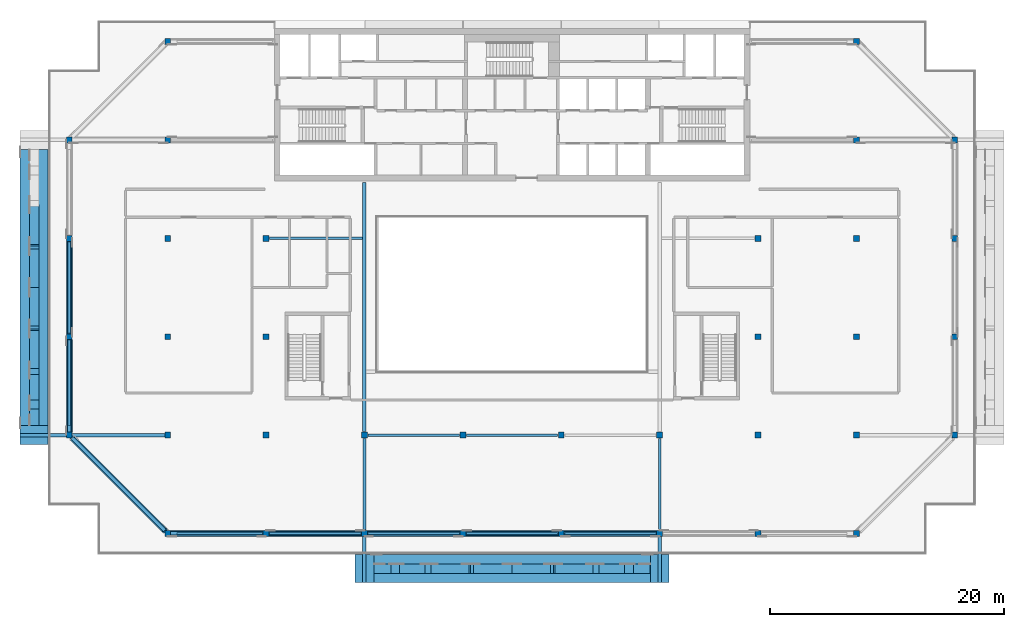
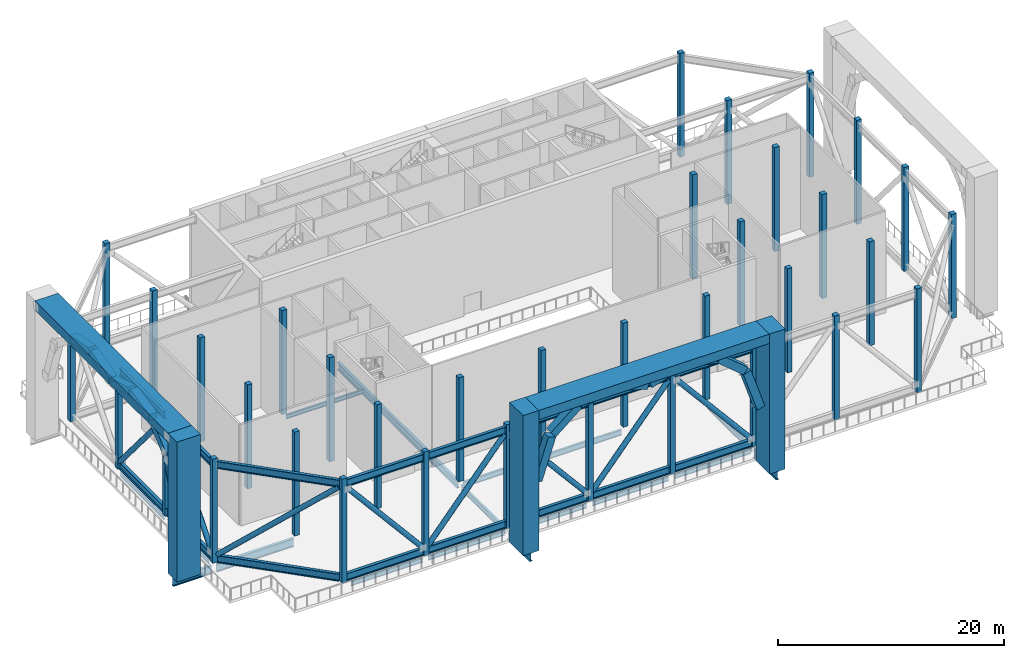
# One storey, part 1 of 20: 43 members, 36 columns, 17 beams.
"""IFC4 building model written with IfcOpenShell, lengths in metres."""

from ifc_helpers import new_model, si_unit, direction, frame, origin, origin_2d, place, context, subcontext, project, spatial, rectangle, hollow_circle, i_section, extrude, material, material_profile, profile_set, type_object, element, save


model = new_model("IFC4")

# Units and contexts
model_context = context("Model", 3, precision=1e-05, world=origin(), true_north=direction((0.0, 1.0)))
body_context = subcontext(model_context, "Body", "Model", "MODEL_VIEW")
ifc_project = project(units=[si_unit("LENGTHUNIT", "METRE"), si_unit("AREAUNIT", "SQUARE_METRE"), si_unit("VOLUMEUNIT", "CUBIC_METRE"), si_unit("PLANEANGLEUNIT", "RADIAN"), si_unit("MASSUNIT", "GRAM", prefix="KILO")], contexts=[model_context])

# Site, building, storey
site_placement = place(None, origin())
site = spatial("IfcSite", under=ifc_project, at=site_placement, CompositionType="ELEMENT")
building_placement = place(site_placement, origin())
building = spatial("IfcBuilding", under=site, at=building_placement, Name="Saffron Gate Tower", CompositionType="ELEMENT")
storey_placement = place(building_placement, frame((0.0, 0.0, 252.300048828125)))
storey = spatial("IfcBuildingStorey", under=building, at=storey_placement, Name="L62", CompositionType="ELEMENT", Elevation=252.300048828125)

# Columns
ifc_material_1 = material(Name="Concrete C40", Category="concrete")
ifc_material_profile_1 = material_profile(ifc_material_1, rectangle(XDim=0.5, YDim=0.5, at=origin_2d()))
ifc_profile_set_1 = profile_set([ifc_material_profile_1], Name="Concrete C40")
column_type = type_object("IfcColumnType", Name="C1 RC 500x500 CONCRETE C40", PredefinedType="COLUMN", material=ifc_profile_set_1)
for number, where, z_axis, x_axis, name in (
    (1, (49.800048828125, 40.199951171875, 0.0), (0.0, 0.0, 1.0), (1.0, 0.0, 0.0), "C1 COLUMN X1-B"),
    (2, (49.800048828125, 48.60009765625, 0.0), (0.0, 0.0, 1.0), (1.0, 0.0, 0.0), "C1 COLUMN X1-C"),
    (3, (49.800048828125, 57.0, 0.0), (0.0, 0.0, 1.0), (1.0, 0.0, 0.0), "C1 COLUMN X1-D"),
    (4, (49.800048828125, 65.39990234375, 0.0), (0.0, 0.0, 1.0), (1.0, 0.0, 0.0), "C1 COLUMN X1-E"),
    (5, (58.199951171875, 31.800048828125, 0.0), (0.0, 0.0, 1.0), (1.0, 0.0, 0.0), "C1 COLUMN X2-A"),
    (6, (58.199951171875, 40.199951171875, 0.0), (0.0, 0.0, 1.0), (1.0, 0.0, 0.0), "C1 COLUMN X2-B"),
    (7, (58.199951171875, 48.60009765625, 0.0), (0.0, 0.0, 1.0), (1.0, 0.0, 0.0), "C1 COLUMN X2-C"),
    (8, (58.199951171875, 57.0, 0.0), (0.0, 0.0, 1.0), (1.0, 0.0, 0.0), "C1 COLUMN X2-D"),
    (9, (58.199951171875, 65.39990234375, 0.0), (0.0, 0.0, 1.0), (1.0, 0.0, 0.0), "C1 COLUMN X2-E"),
    (10, (58.199951171875, 73.800048828125, 0.0), (0.0, 0.0, 1.0), (1.0, 0.0, 0.0), "C1 COLUMN X2-F"),
    (11, (66.60009765625, 31.800048828125, 0.0), (0.0, 0.0, 1.0), (1.0, 0.0, 0.0), "C1 COLUMN X3-A"),
    (12, (66.60009765625, 40.199951171875, 0.0), (0.0, 0.0, 1.0), (1.0, 0.0, 0.0), "C1 COLUMN X3-B"),
    (13, (66.60009765625, 48.60009765625, 0.0), (0.0, 0.0, 1.0), (1.0, 0.0, 0.0), "C1 COLUMN X3-C"),
    (14, (66.60009765625, 57.0, 0.0), (0.0, 0.0, 1.0), (1.0, 0.0, 0.0), "C1 COLUMN X3-D"),
    (15, (75.0, 31.800048828125, 0.0), (0.0, 0.0, 1.0), (1.0, 0.0, 0.0), "C1 COLUMN X4-A"),
    (16, (75.0, 40.199951171875, 0.0), (0.0, 0.0, 1.0), (1.0, 0.0, 0.0), "C1 COLUMN X4-B"),
    (17, (83.39990234375, 31.800048828125, 0.0), (0.0, 0.0, 1.0), (1.0, 0.0, 0.0), "C1 COLUMN X5-A"),
    (18, (83.39990234375, 40.199951171875, 0.0), (0.0, 0.0, 1.0), (1.0, 0.0, 0.0), "C1 COLUMN X5-B"),
    (19, (91.800048828125, 31.800048828125, 0.0), (0.0, 0.0, 1.0), (1.0, 0.0, 0.0), "C1 COLUMN X6-A"),
    (20, (91.800048828125, 40.199951171875, 0.0), (0.0, 0.0, 1.0), (1.0, 0.0, 0.0), "C1 COLUMN X6-B"),
    (21, (100.199951171875, 31.800048828125, 0.0), (0.0, 0.0, 1.0), (1.0, 0.0, 0.0), "C1 COLUMN X7-A"),
    (22, (100.199951171875, 40.199951171875, 0.0), (0.0, 0.0, 1.0), (1.0, 0.0, 0.0), "C1 COLUMN X7-B"),
    (23, (108.60009765625, 31.800048828125, 0.0), (0.0, 0.0, 1.0), (1.0, 0.0, 0.0), "C1 COLUMN X8-A"),
    (24, (108.60009765625, 40.199951171875, 0.0), (0.0, 0.0, 1.0), (1.0, 0.0, 0.0), "C1 COLUMN X8-B"),
    (25, (108.60009765625, 48.60009765625, 0.0), (0.0, 0.0, 1.0), (1.0, 0.0, 0.0), "C1 COLUMN X8-C"),
    (26, (108.60009765625, 57.0, 0.0), (0.0, 0.0, 1.0), (1.0, 0.0, 0.0), "C1 COLUMN X8-D"),
    (27, (117.0, 31.800048828125, 0.0), (0.0, 0.0, 1.0), (1.0, 0.0, 0.0), "C1 COLUMN X9-A"),
    (28, (117.0, 40.199951171875, 0.0), (0.0, 0.0, 1.0), (1.0, 0.0, 0.0), "C1 COLUMN X9-B"),
    (29, (117.0, 48.60009765625, 0.0), (0.0, 0.0, 1.0), (1.0, 0.0, 0.0), "C1 COLUMN X9-C"),
    (30, (117.0, 57.0, 0.0), (0.0, 0.0, 1.0), (1.0, 0.0, 0.0), "C1 COLUMN X9-D"),
    (31, (117.0, 65.39990234375, 0.0), (0.0, 0.0, 1.0), (1.0, 0.0, 0.0), "C1 COLUMN X9-E"),
    (32, (117.0, 73.800048828125, 0.0), (0.0, 0.0, 1.0), (1.0, 0.0, 0.0), "C1 COLUMN X9-F"),
    (33, (125.39990234375, 40.199951171875, 0.0), (0.0, 0.0, 1.0), (1.0, 0.0, 0.0), "C1 COLUMN X10-B"),
    (34, (125.39990234375, 48.60009765625, 0.0), (0.0, 0.0, 1.0), (1.0, 0.0, 0.0), "C1 COLUMN X10-C"),
    (35, (125.39990234375, 57.0, 0.0), (0.0, 0.0, 1.0), (1.0, 0.0, 0.0), "C1 COLUMN X10-D"),
    (36, (125.39990234375, 65.39990234375, 0.0), (0.0, 0.0, 1.0), (1.0, 0.0, 0.0), "C1 COLUMN X10-E"),
):
    element("IfcColumn", number, at=place(storey_placement, frame(where, z_axis=z_axis, x_axis=x_axis)), inside=storey, type_object=column_type, Name=name, PredefinedType="COLUMN", context=body_context, shape_type="SweptSolid", body=[
        extrude(rectangle(XDim=0.5, YDim=0.5, at=origin_2d()), origin(), (0.0, 0.0, 1.0), 11.25),
    ])

# Beams
ifc_material_2 = material(Name="Structural steel S355", Category="steel")
ifc_material_profile_2 = material_profile(ifc_material_2, i_section(OverallWidth=0.219970703125, OverallDepth=0.60009765625, WebThickness=0.011962890625, FlangeThickness=0.01904296875, FilletRadius=0.02392578125, at=origin_2d()))
ifc_profile_set_2 = profile_set([ifc_material_profile_2], Name="Structural steel S355")
beam_type_1 = type_object("IfcBeamType", Name="B15 IPE 600", PredefinedType="BEAM", material=ifc_profile_set_2)
for number, where, z_axis, x_axis, name in (
    (37, (75.0, 32.10009765625, -0.60009765625), (0.0, 1.0, 0.0), (-1.0, 0.0, 0.0), "B15 FLOOR GIRDER"),
    (38, (100.199951171875, 32.10009765625, -0.60009765625), (0.0, 1.0, 0.0), (-1.0, 0.0, 0.0), "B15 FLOOR GIRDER"),
):
    element("IfcBeam", number, at=place(storey_placement, frame(where, z_axis=z_axis, x_axis=x_axis)), inside=storey, type_object=beam_type_1, Name=name, PredefinedType="BEAM", context=body_context, shape_type="SweptSolid", body=[
        extrude(i_section(OverallWidth=0.219970703125, OverallDepth=0.60009765625, WebThickness=0.011962890625, FlangeThickness=0.01904296875, FilletRadius=0.02392578125, at=origin_2d()), origin(), (0.0, 0.0, 1.0), 7.7998046875),
    ])
for number, where, z_axis, x_axis, name in (
    (39, (75.300048828125, 40.199951171875, -0.60009765625), (1.0, 0.0, 0.0), (0.0, 1.0, 0.0), "B15 FLOOR GIRDER"),
    (40, (83.699951171875, 40.199951171875, -0.60009765625), (1.0, 0.0, 0.0), (0.0, 1.0, 0.0), "B15 FLOOR GIRDER"),
):
    element("IfcBeam", number, at=place(storey_placement, frame(where, z_axis=z_axis, x_axis=x_axis)), inside=storey, type_object=beam_type_1, Name=name, PredefinedType="BEAM", context=body_context, shape_type="SweptSolid", body=[
        extrude(i_section(OverallWidth=0.219970703125, OverallDepth=0.60009765625, WebThickness=0.011962890625, FlangeThickness=0.01904296875, FilletRadius=0.02392578125, at=origin_2d()), origin(), (0.0, 0.0, 1.0), 7.800048828125),
    ])
ifc_material_profile_3 = material_profile(ifc_material_2, i_section(OverallWidth=0.300048828125, OverallDepth=0.7900390625, WebThickness=0.014892578125, FlangeThickness=0.028076171875, FilletRadius=0.030029296875, at=origin_2d()))
ifc_profile_set_3 = profile_set([ifc_material_profile_3], Name="Structural steel S355")
beam_type_2 = type_object("IfcBeamType", Name="B18 HEA 800", PredefinedType="BEAM", material=ifc_profile_set_3)
beam_1_placement = place(storey_placement, frame((75.0, 40.5, -0.695068359375), z_axis=(0.0, 1.0, 0.0), x_axis=(-1.0, 0.0, 0.0)))
element("IfcBeam", 41, at=beam_1_placement, inside=storey, type_object=beam_type_2, Name="B18 ATRIUM GIRDER", PredefinedType="BEAM", context=body_context, shape_type="SweptSolid", body=[
    extrude(i_section(OverallWidth=0.300048828125, OverallDepth=0.7900390625, WebThickness=0.014892578125, FlangeThickness=0.028076171875, FilletRadius=0.030029296875, at=origin_2d()), origin(), (0.0, 0.0, 1.0), 21.25),
])
ifc_material_profile_4 = material_profile(ifc_material_2, i_section(OverallWidth=0.18994140625, OverallDepth=0.449951171875, WebThickness=0.009521484375, FlangeThickness=0.0146484375, FilletRadius=0.02099609375, at=origin_2d()))
ifc_profile_set_4 = profile_set([ifc_material_profile_4], Name="Structural steel S355")
beam_type_3 = type_object("IfcBeamType", Name="B6 IPE 450", PredefinedType="BEAM", material=ifc_profile_set_4)
beam_2_placement = place(storey_placement, frame((66.89990234375, 57.0, -0.525146484375), z_axis=(1.0, 0.0, 0.0), x_axis=(0.0, 1.0, 0.0)))
element("IfcBeam", 42, at=beam_2_placement, inside=storey, type_object=beam_type_3, Name="B6 CORE TIE BEAM", PredefinedType="BEAM", context=body_context, shape_type="SweptSolid", body=[
    extrude(i_section(OverallWidth=0.18994140625, OverallDepth=0.449951171875, WebThickness=0.009521484375, FlangeThickness=0.0146484375, FilletRadius=0.02099609375, at=origin_2d()), origin(), (0.0, 0.0, 1.0), 7.9501953125),
])
ifc_material_profile_5 = material_profile(ifc_material_2, i_section(OverallWidth=0.18994140625, OverallDepth=0.449951171875, WebThickness=0.009521484375, FlangeThickness=0.0146484375, FilletRadius=0.02099609375, at=origin_2d()))
ifc_profile_set_5 = profile_set([ifc_material_profile_5], Name="Structural steel S355")
beam_type_4 = type_object("IfcBeamType", Name="B7 IPE 450", PredefinedType="SPANDREL", material=ifc_profile_set_5)
beam_3_placement = place(storey_placement, frame((49.800048828125, 41.0, -0.525146484375), z_axis=(0.0, 1.0, 0.0), x_axis=(-1.0, 0.0, 0.0)))
element("IfcBeam", 43, at=beam_3_placement, inside=storey, type_object=beam_type_4, Name="B7 SPANDREL BEAM", PredefinedType="SPANDREL", context=body_context, shape_type="SweptSolid", body=[
    extrude(i_section(OverallWidth=0.18994140625, OverallDepth=0.449951171875, WebThickness=0.009521484375, FlangeThickness=0.0146484375, FilletRadius=0.02099609375, at=origin_2d()), origin(), (0.0, 0.0, 1.0), 7.300048828125),
])
beam_4_placement = place(storey_placement, frame((49.800048828125, 48.89990234375, -0.525146484375), z_axis=(0.0, 1.0, 0.0), x_axis=(-1.0, 0.0, 0.0)))
element("IfcBeam", 44, at=beam_4_placement, inside=storey, type_object=beam_type_4, Name="B7 SPANDREL BEAM", PredefinedType="SPANDREL", context=body_context, shape_type="SweptSolid", body=[
    extrude(i_section(OverallWidth=0.18994140625, OverallDepth=0.449951171875, WebThickness=0.009521484375, FlangeThickness=0.0146484375, FilletRadius=0.02099609375, at=origin_2d()), origin(), (0.0, 0.0, 1.0), 7.800048828125),
])
beam_5_placement = place(storey_placement, frame((59.0, 31.800048828125, -0.525146484375), z_axis=(1.0, 0.0, 0.0), x_axis=(0.0, 1.0, 0.0)))
element("IfcBeam", 45, at=beam_5_placement, inside=storey, type_object=beam_type_4, Name="B7 SPANDREL BEAM", PredefinedType="SPANDREL", context=body_context, shape_type="SweptSolid", body=[
    extrude(i_section(OverallWidth=0.18994140625, OverallDepth=0.449951171875, WebThickness=0.009521484375, FlangeThickness=0.0146484375, FilletRadius=0.02099609375, at=origin_2d()), origin(), (0.0, 0.0, 1.0), 7.300048828125),
])
for number, where, z_axis, x_axis, name in (
    (46, (66.89990234375, 31.800048828125, -0.525146484375), (1.0, 0.0, 0.0), (0.0, 1.0, 0.0), "B7 SPANDREL BEAM"),
    (47, (75.300048828125, 31.800048828125, -0.525146484375), (1.0, 0.0, 0.0), (0.0, 1.0, 0.0), "B7 SPANDREL BEAM"),
    (48, (83.699951171875, 31.800048828125, -0.525146484375), (1.0, 0.0, 0.0), (0.0, 1.0, 0.0), "B7 SPANDREL BEAM"),
):
    element("IfcBeam", number, at=place(storey_placement, frame(where, z_axis=z_axis, x_axis=x_axis)), inside=storey, type_object=beam_type_4, Name=name, PredefinedType="SPANDREL", context=body_context, shape_type="SweptSolid", body=[
        extrude(i_section(OverallWidth=0.18994140625, OverallDepth=0.449951171875, WebThickness=0.009521484375, FlangeThickness=0.0146484375, FilletRadius=0.02099609375, at=origin_2d()), origin(), (0.0, 0.0, 1.0), 7.800048828125),
    ])
beam_6_placement = place(storey_placement, frame((92.10009765625, 31.800048828125, -0.525146484375), z_axis=(1.0, 0.0, 0.0), x_axis=(0.0, 1.0, 0.0)))
element("IfcBeam", 49, at=beam_6_placement, inside=storey, type_object=beam_type_4, Name="B7 SPANDREL BEAM", PredefinedType="SPANDREL", context=body_context, shape_type="SweptSolid", body=[
    extrude(i_section(OverallWidth=0.18994140625, OverallDepth=0.449951171875, WebThickness=0.009521484375, FlangeThickness=0.0146484375, FilletRadius=0.02099609375, at=origin_2d()), origin(), (0.0, 0.0, 1.0), 7.7998046875),
])

# Members
ifc_material_profile_6 = material_profile(ifc_material_2, i_section(OverallWidth=0.300048828125, OverallDepth=0.800048828125, WebThickness=0.017578125, FlangeThickness=0.032958984375, FilletRadius=0.030029296875, at=origin_2d()))
ifc_profile_set_6 = profile_set([ifc_material_profile_6], Name="Structural steel S355")
member_type_1 = type_object("IfcMemberType", Name="BT2 HEB 800", PredefinedType="CHORD", material=ifc_profile_set_6)
for number, where, z_axis, x_axis, name in (
    (50, (49.800048828125, 40.449951171875, 10.570068359375), (0.0, 1.0, 0.0), (-1.0, 0.0, 0.0), "BT2 BELT TRUSS TOP CHORD"),
    (51, (49.800048828125, 40.449951171875, 0.39990234375), (0.0, 1.0, 0.0), (-1.0, 0.0, 0.0), "BT2 BELT TRUSS BOTTOM CHORD"),
):
    element("IfcMember", number, at=place(storey_placement, frame(where, z_axis=z_axis, x_axis=x_axis)), inside=storey, type_object=member_type_1, Name=name, PredefinedType="CHORD", context=body_context, shape_type="SweptSolid", body=[
        extrude(i_section(OverallWidth=0.300048828125, OverallDepth=0.800048828125, WebThickness=0.017578125, FlangeThickness=0.032958984375, FilletRadius=0.030029296875, at=origin_2d()), origin(), (0.0, 0.0, 1.0), 7.900146484375),
    ])
for number, where, z_axis, x_axis, name in (
    (52, (49.800048828125, 48.85009765625, 10.570068359375), (0.0, 1.0, 0.0), (-1.0, 0.0, 0.0), "BT2 BELT TRUSS TOP CHORD"),
    (53, (49.800048828125, 48.85009765625, 0.39990234375), (0.0, 1.0, 0.0), (-1.0, 0.0, 0.0), "BT2 BELT TRUSS BOTTOM CHORD"),
):
    element("IfcMember", number, at=place(storey_placement, frame(where, z_axis=z_axis, x_axis=x_axis)), inside=storey, type_object=member_type_1, Name=name, PredefinedType="CHORD", context=body_context, shape_type="SweptSolid", body=[
        extrude(i_section(OverallWidth=0.300048828125, OverallDepth=0.800048828125, WebThickness=0.017578125, FlangeThickness=0.032958984375, FilletRadius=0.030029296875, at=origin_2d()), origin(), (0.0, 0.0, 1.0), 7.89990234375),
    ])
for number, where, z_axis, x_axis, name in (
    (54, (58.449951171875, 31.800048828125, 10.570068359375), (1.0, 0.0, 0.0), (0.0, 1.0, 0.0), "BT2 BELT TRUSS TOP CHORD"),
    (55, (58.449951171875, 31.800048828125, 0.39990234375), (1.0, 0.0, 0.0), (0.0, 1.0, 0.0), "BT2 BELT TRUSS BOTTOM CHORD"),
):
    element("IfcMember", number, at=place(storey_placement, frame(where, z_axis=z_axis, x_axis=x_axis)), inside=storey, type_object=member_type_1, Name=name, PredefinedType="CHORD", context=body_context, shape_type="SweptSolid", body=[
        extrude(i_section(OverallWidth=0.300048828125, OverallDepth=0.800048828125, WebThickness=0.017578125, FlangeThickness=0.032958984375, FilletRadius=0.030029296875, at=origin_2d()), origin(), (0.0, 0.0, 1.0), 7.900146484375),
    ])
for number, where, z_axis, x_axis, name in (
    (56, (66.85009765625, 31.800048828125, 10.570068359375), (1.0, 0.0, 0.0), (0.0, 1.0, 0.0), "BT2 BELT TRUSS TOP CHORD"),
    (57, (66.85009765625, 31.800048828125, 0.39990234375), (1.0, 0.0, 0.0), (0.0, 1.0, 0.0), "BT2 BELT TRUSS BOTTOM CHORD"),
    (58, (75.25, 31.800048828125, 10.570068359375), (1.0, 0.0, 0.0), (0.0, 1.0, 0.0), "BT2 BELT TRUSS TOP CHORD"),
    (59, (75.25, 31.800048828125, 0.39990234375), (1.0, 0.0, 0.0), (0.0, 1.0, 0.0), "BT2 BELT TRUSS BOTTOM CHORD"),
):
    element("IfcMember", number, at=place(storey_placement, frame(where, z_axis=z_axis, x_axis=x_axis)), inside=storey, type_object=member_type_1, Name=name, PredefinedType="CHORD", context=body_context, shape_type="SweptSolid", body=[
        extrude(i_section(OverallWidth=0.300048828125, OverallDepth=0.800048828125, WebThickness=0.017578125, FlangeThickness=0.032958984375, FilletRadius=0.030029296875, at=origin_2d()), origin(), (0.0, 0.0, 1.0), 7.89990234375),
    ])
for number, where, z_axis, x_axis, name in (
    (60, (83.64990234375, 31.800048828125, 10.570068359375), (1.0, 0.0, 0.0), (0.0, 1.0, 0.0), "BT2 BELT TRUSS TOP CHORD"),
    (61, (83.64990234375, 31.800048828125, 0.39990234375), (1.0, 0.0, 0.0), (0.0, 1.0, 0.0), "BT2 BELT TRUSS BOTTOM CHORD"),
):
    element("IfcMember", number, at=place(storey_placement, frame(where, z_axis=z_axis, x_axis=x_axis)), inside=storey, type_object=member_type_1, Name=name, PredefinedType="CHORD", context=body_context, shape_type="SweptSolid", body=[
        extrude(i_section(OverallWidth=0.300048828125, OverallDepth=0.800048828125, WebThickness=0.017578125, FlangeThickness=0.032958984375, FilletRadius=0.030029296875, at=origin_2d()), origin(), (0.0, 0.0, 1.0), 7.900146484375),
    ])
for number, where, z_axis, x_axis, name in (
    (62, (92.050048828125, 31.800048828125, 10.570068359375), (1.0, 0.0, 0.0), (0.0, 1.0, 0.0), "BT2 BELT TRUSS TOP CHORD"),
    (63, (92.050048828125, 31.800048828125, 0.39990234375), (1.0, 0.0, 0.0), (0.0, 1.0, 0.0), "BT2 BELT TRUSS BOTTOM CHORD"),
):
    element("IfcMember", number, at=place(storey_placement, frame(where, z_axis=z_axis, x_axis=x_axis)), inside=storey, type_object=member_type_1, Name=name, PredefinedType="CHORD", context=body_context, shape_type="SweptSolid", body=[
        extrude(i_section(OverallWidth=0.300048828125, OverallDepth=0.800048828125, WebThickness=0.017578125, FlangeThickness=0.032958984375, FilletRadius=0.030029296875, at=origin_2d()), origin(), (0.0, 0.0, 1.0), 7.89990234375),
    ])
for number, where, z_axis, x_axis, name in (
    (64, (57.949951171875, 32.050048828125, 10.570068359375), (-0.707106781187, 0.707106781187, 0.0), (-0.707106781187, -0.707106781187, 0.0), "BT2 BELT TRUSS TOP CHORD"),
    (65, (57.949951171875, 32.050048828125, 0.39990234375), (-0.707106781187, 0.707106781187, 0.0), (-0.707106781187, -0.707106781187, 0.0), "BT2 BELT TRUSS BOTTOM CHORD"),
):
    element("IfcMember", number, at=place(storey_placement, frame(where, z_axis=z_axis, x_axis=x_axis)), inside=storey, type_object=member_type_1, Name=name, PredefinedType="CHORD", context=body_context, shape_type="SweptSolid", body=[
        extrude(i_section(OverallWidth=0.300048828125, OverallDepth=0.800048828125, WebThickness=0.017578125, FlangeThickness=0.032958984375, FilletRadius=0.030029296875, at=origin_2d()), origin(), (0.0, 0.0, 1.0), 11.172119140625),
    ])
ifc_material_profile_7 = material_profile(ifc_material_2, hollow_circle(Radius=0.25390625, WallThickness=0.01611328125, at=origin_2d()))
ifc_profile_set_7 = profile_set([ifc_material_profile_7], Name="Structural steel S355")
member_type_2 = type_object("IfcMemberType", Name="BT5 CHS 508x16", PredefinedType="BRACE", material=ifc_profile_set_7)
member_1_placement = place(storey_placement, frame((49.800048828125, 40.449951171875, 0.800048828125), z_axis=(0.0, 0.644599992129, 0.764520012915), x_axis=(-1.0, 0.0, 0.0)))
element("IfcMember", 66, at=member_1_placement, inside=storey, type_object=member_type_2, Name="BT5 BELT TRUSS DIAGONAL", PredefinedType="BRACE", context=body_context, shape_type="SweptSolid", body=[
    extrude(hollow_circle(Radius=0.25390625, WallThickness=0.01611328125, at=origin_2d()), origin(), (0.0, 0.0, 1.0), 12.255859375),
])
member_2_placement = place(storey_placement, frame((49.800048828125, 56.75, 0.800048828125), z_axis=(0.0, -0.64458834869, 0.764529829852), x_axis=(1.0, 0.0, 0.0)))
element("IfcMember", 67, at=member_2_placement, inside=storey, type_object=member_type_2, Name="BT5 BELT TRUSS DIAGONAL", PredefinedType="BRACE", context=body_context, shape_type="SweptSolid", body=[
    extrude(hollow_circle(Radius=0.25390625, WallThickness=0.01611328125, at=origin_2d()), origin(), (0.0, 0.0, 1.0), 12.255615234375),
])
member_3_placement = place(storey_placement, frame((66.35009765625, 31.800048828125, 0.800048828125), z_axis=(-0.644599992129, 0.0, 0.764520012915), x_axis=(0.0, -1.0, 0.0)))
element("IfcMember", 68, at=member_3_placement, inside=storey, type_object=member_type_2, Name="BT5 BELT TRUSS DIAGONAL", PredefinedType="BRACE", context=body_context, shape_type="SweptSolid", body=[
    extrude(hollow_circle(Radius=0.25390625, WallThickness=0.01611328125, at=origin_2d()), origin(), (0.0, 0.0, 1.0), 12.255859375),
])
for number, where, z_axis, x_axis, name in (
    (69, (66.85009765625, 31.800048828125, 0.800048828125), (0.64458834869, 0.0, 0.764529829852), (0.0, 1.0, 0.0), "BT5 BELT TRUSS DIAGONAL"),
    (70, (83.14990234375, 31.800048828125, 0.800048828125), (-0.64458834869, 0.0, 0.764529829852), (0.0, -1.0, 0.0), "BT5 BELT TRUSS DIAGONAL"),
):
    element("IfcMember", number, at=place(storey_placement, frame(where, z_axis=z_axis, x_axis=x_axis)), inside=storey, type_object=member_type_2, Name=name, PredefinedType="BRACE", context=body_context, shape_type="SweptSolid", body=[
        extrude(hollow_circle(Radius=0.25390625, WallThickness=0.01611328125, at=origin_2d()), origin(), (0.0, 0.0, 1.0), 12.255615234375),
    ])
member_4_placement = place(storey_placement, frame((83.64990234375, 31.800048828125, 0.800048828125), z_axis=(0.644599992129, 0.0, 0.764520012915), x_axis=(0.0, 1.0, 0.0)))
element("IfcMember", 71, at=member_4_placement, inside=storey, type_object=member_type_2, Name="BT5 BELT TRUSS DIAGONAL", PredefinedType="BRACE", context=body_context, shape_type="SweptSolid", body=[
    extrude(hollow_circle(Radius=0.25390625, WallThickness=0.01611328125, at=origin_2d()), origin(), (0.0, 0.0, 1.0), 12.255859375),
])
member_5_placement = place(storey_placement, frame((99.949951171875, 31.800048828125, 0.800048828125), z_axis=(-0.64458834869, 0.0, 0.764529829852), x_axis=(0.0, -1.0, 0.0)))
element("IfcMember", 72, at=member_5_placement, inside=storey, type_object=member_type_2, Name="BT5 BELT TRUSS DIAGONAL", PredefinedType="BRACE", context=body_context, shape_type="SweptSolid", body=[
    extrude(hollow_circle(Radius=0.25390625, WallThickness=0.01611328125, at=origin_2d()), origin(), (0.0, 0.0, 1.0), 12.255615234375),
])
member_6_placement = place(storey_placement, frame((50.050048828125, 39.949951171875, 0.800048828125), z_axis=(0.541786792014, -0.541786792014, 0.642599520696), x_axis=(0.707106781187, 0.707106781187, 0.0)))
element("IfcMember", 73, at=member_6_placement, inside=storey, type_object=member_type_2, Name="BT5 BELT TRUSS DIAGONAL", PredefinedType="BRACE", context=body_context, shape_type="SweptSolid", body=[
    extrude(hollow_circle(Radius=0.25390625, WallThickness=0.01611328125, at=origin_2d()), origin(), (0.0, 0.0, 1.0), 14.581298828125),
])
ifc_material_3 = material(Name="Concrete C60", Category="concrete")
ifc_material_profile_8 = material_profile(ifc_material_3, rectangle(XDim=0.800048828125, YDim=0.800048828125, at=origin_2d()))
ifc_profile_set_8 = profile_set([ifc_material_profile_8], Name="Concrete C60")
member_type_3 = type_object("IfcMemberType", Name="PA1 RC 800x800", PredefinedType="BRACE", material=ifc_profile_set_8)
member_7_placement = place(storey_placement, frame((76.199951171875, 28.800048828125, 6.517333984375), z_axis=(0.311866101482, 0.0, 0.950126062555), x_axis=(0.0, 1.0, 0.0)))
element("IfcMember", 74, at=member_7_placement, inside=storey, type_object=member_type_3, Name="PA1 PISHTAQ ARCH", PredefinedType="BRACE", context=body_context, shape_type="SweptSolid", body=[
    extrude(rectangle(XDim=0.800048828125, YDim=0.800048828125, at=origin_2d()), origin(), (0.0, 0.0, 1.0), 4.571044921875),
])
member_8_placement = place(storey_placement, frame((77.750732421875, 28.800048828125, 11.044189453125), z_axis=(0.771329894849, 0.0, 0.636435537436), x_axis=(0.0, 1.0, 0.0)))
element("IfcMember", 75, at=member_8_placement, inside=storey, type_object=member_type_3, Name="PA1 PISHTAQ ARCH", PredefinedType="BRACE", context=body_context, shape_type="SweptSolid", body=[
    extrude(rectangle(XDim=0.800048828125, YDim=0.800048828125, at=origin_2d()), origin(), (0.0, 0.0, 1.0), 3.453125),
])
member_9_placement = place(storey_placement, frame((80.590576171875, 28.800048828125, 13.32568359375), z_axis=(0.98073469826, 0.0, 0.195344443559), x_axis=(0.0, 1.0, 0.0)))
element("IfcMember", 76, at=member_9_placement, inside=storey, type_object=member_type_3, Name="PA1 PISHTAQ ARCH", PredefinedType="BRACE", context=body_context, shape_type="SweptSolid", body=[
    extrude(rectangle(XDim=0.800048828125, YDim=0.800048828125, at=origin_2d()), origin(), (0.0, 0.0, 1.0), 3.46826171875),
])
for number, where, z_axis, x_axis, name in (
    (77, (84.18701171875, 28.800048828125, 13.993408203125), (0.956318022742, 0.0, -0.292328307522), (0.0, 1.0, 0.0), "PA1 PISHTAQ ARCH"),
    (78, (87.716796875, 28.800048828125, 12.98583984375), (0.956318022742, 0.0, 0.292328307522), (0.0, 1.0, 0.0), "PA1 PISHTAQ ARCH"),
):
    element("IfcMember", number, at=place(storey_placement, frame(where, z_axis=z_axis, x_axis=x_axis)), inside=storey, type_object=member_type_3, Name=name, PredefinedType="BRACE", context=body_context, shape_type="SweptSolid", body=[
        extrude(rectangle(XDim=0.800048828125, YDim=0.800048828125, at=origin_2d()), origin(), (0.0, 0.0, 1.0), 3.44677734375),
    ])
member_10_placement = place(storey_placement, frame((91.2080078125, 28.800048828125, 14.003173828125), z_axis=(0.98073469826, 0.0, -0.195344443559), x_axis=(0.0, 1.0, 0.0)))
element("IfcMember", 79, at=member_10_placement, inside=storey, type_object=member_type_3, Name="PA1 PISHTAQ ARCH", PredefinedType="BRACE", context=body_context, shape_type="SweptSolid", body=[
    extrude(rectangle(XDim=0.800048828125, YDim=0.800048828125, at=origin_2d()), origin(), (0.0, 0.0, 1.0), 3.46826171875),
])
member_11_placement = place(storey_placement, frame((94.785888671875, 28.800048828125, 13.241943359375), z_axis=(0.771301255722, 0.0, -0.636470245119), x_axis=(0.0, 1.0, 0.0)))
element("IfcMember", 80, at=member_11_placement, inside=storey, type_object=member_type_3, Name="PA1 PISHTAQ ARCH", PredefinedType="BRACE", context=body_context, shape_type="SweptSolid", body=[
    extrude(rectangle(XDim=0.800048828125, YDim=0.800048828125, at=origin_2d()), origin(), (0.0, 0.0, 1.0), 3.453125),
])
member_12_placement = place(storey_placement, frame((97.57470703125, 28.800048828125, 10.8603515625), z_axis=(0.311817884168, 0.0, -0.950141887885), x_axis=(0.0, 1.0, 0.0)))
element("IfcMember", 81, at=member_12_placement, inside=storey, type_object=member_type_3, Name="PA1 PISHTAQ ARCH", PredefinedType="BRACE", context=body_context, shape_type="SweptSolid", body=[
    extrude(rectangle(XDim=0.800048828125, YDim=0.800048828125, at=origin_2d()), origin(), (0.0, 0.0, 1.0), 4.57080078125),
])
member_13_placement = place(storey_placement, frame((46.800048828125, 41.39990234375, 6.517333984375), z_axis=(0.0, 0.311866101482, 0.950126062555), x_axis=(-1.0, 0.0, 0.0)))
element("IfcMember", 82, at=member_13_placement, inside=storey, type_object=member_type_3, Name="PA1 PISHTAQ ARCH", PredefinedType="BRACE", context=body_context, shape_type="SweptSolid", body=[
    extrude(rectangle(XDim=0.800048828125, YDim=0.800048828125, at=origin_2d()), origin(), (0.0, 0.0, 1.0), 4.571044921875),
])
member_14_placement = place(storey_placement, frame((46.800048828125, 42.95068359375, 11.044189453125), z_axis=(0.0, 0.771329894849, 0.636435537436), x_axis=(-1.0, 0.0, 0.0)))
element("IfcMember", 83, at=member_14_placement, inside=storey, type_object=member_type_3, Name="PA1 PISHTAQ ARCH", PredefinedType="BRACE", context=body_context, shape_type="SweptSolid", body=[
    extrude(rectangle(XDim=0.800048828125, YDim=0.800048828125, at=origin_2d()), origin(), (0.0, 0.0, 1.0), 3.453125),
])
member_15_placement = place(storey_placement, frame((46.800048828125, 45.79052734375, 13.32568359375), z_axis=(0.0, 0.98073469826, 0.195344443559), x_axis=(-1.0, 0.0, 0.0)))
element("IfcMember", 84, at=member_15_placement, inside=storey, type_object=member_type_3, Name="PA1 PISHTAQ ARCH", PredefinedType="BRACE", context=body_context, shape_type="SweptSolid", body=[
    extrude(rectangle(XDim=0.800048828125, YDim=0.800048828125, at=origin_2d()), origin(), (0.0, 0.0, 1.0), 3.46826171875),
])
for number, where, z_axis, x_axis, name in (
    (85, (46.800048828125, 49.38720703125, 13.993408203125), (0.0, 0.956311969023, -0.292348110826), (-1.0, 0.0, 0.0), "PA1 PISHTAQ ARCH"),
    (86, (46.800048828125, 52.9169921875, 12.98583984375), (0.0, 0.956311969023, 0.292348110826), (-1.0, 0.0, 0.0), "PA1 PISHTAQ ARCH"),
):
    element("IfcMember", number, at=place(storey_placement, frame(where, z_axis=z_axis, x_axis=x_axis)), inside=storey, type_object=member_type_3, Name=name, PredefinedType="BRACE", context=body_context, shape_type="SweptSolid", body=[
        extrude(rectangle(XDim=0.800048828125, YDim=0.800048828125, at=origin_2d()), origin(), (0.0, 0.0, 1.0), 3.446533203125),
    ])
member_16_placement = place(storey_placement, frame((46.800048828125, 56.407958984375, 14.003173828125), z_axis=(0.0, 0.98073469826, -0.195344443559), x_axis=(-1.0, 0.0, 0.0)))
element("IfcMember", 87, at=member_16_placement, inside=storey, type_object=member_type_3, Name="PA1 PISHTAQ ARCH", PredefinedType="BRACE", context=body_context, shape_type="SweptSolid", body=[
    extrude(rectangle(XDim=0.800048828125, YDim=0.800048828125, at=origin_2d()), origin(), (0.0, 0.0, 1.0), 3.46826171875),
])
ifc_material_profile_9 = material_profile(ifc_material_3, rectangle(XDim=2.39990234375, YDim=1.0, at=origin_2d()))
ifc_profile_set_9 = profile_set([ifc_material_profile_9], Name="Concrete C60")
member_type_4 = type_object("IfcMemberType", Name="PK1 RC 2400x1000", PredefinedType="BRACE", material=ifc_profile_set_9)
member_17_placement = place(storey_placement, frame((75.800048828125, 28.800048828125, 14.349853515625), z_axis=(1.0, 0.0, 0.0), x_axis=(0.0, 1.0, 0.0)))
element("IfcMember", 88, at=member_17_placement, inside=storey, type_object=member_type_4, Name="PK1 PISHTAQ CAP BEAM", PredefinedType="BRACE", context=body_context, shape_type="SweptSolid", body=[
    extrude(rectangle(XDim=2.39990234375, YDim=1.0, at=origin_2d()), origin(), (0.0, 0.0, 1.0), 23.599853515625),
])
member_18_placement = place(storey_placement, frame((46.800048828125, 41.0, 14.349853515625), z_axis=(0.0, 1.0, 0.0), x_axis=(-1.0, 0.0, 0.0)))
element("IfcMember", 89, at=member_18_placement, inside=storey, type_object=member_type_4, Name="PK1 PISHTAQ CAP BEAM", PredefinedType="BRACE", context=body_context, shape_type="SweptSolid", body=[
    extrude(rectangle(XDim=2.39990234375, YDim=1.0, at=origin_2d()), origin(), (0.0, 0.0, 1.0), 23.60009765625),
])
ifc_material_profile_10 = material_profile(ifc_material_3, rectangle(XDim=2.39990234375, YDim=1.60009765625, at=origin_2d()))
ifc_profile_set_10 = profile_set([ifc_material_profile_10], Name="Concrete C60")
member_type_5 = type_object("IfcMemberType", Name="PP1 RC 2400x1600", PredefinedType="POST", material=ifc_profile_set_10)
member_19_placement = place(storey_placement, frame((46.800048828125, 40.199951171875, -0.300048828125), z_axis=(0.0, 0.0, 1.0), x_axis=(1.0, 0.0, 0.0)))
element("IfcMember", 90, at=member_19_placement, inside=storey, type_object=member_type_5, Name="PP1 PISHTAQ PIER", PredefinedType="POST", context=body_context, shape_type="SweptSolid", body=[
    extrude(rectangle(XDim=2.39990234375, YDim=1.60009765625, at=origin_2d()), origin(), (0.0, 0.0, 1.0), 15.14990234375),
])
ifc_material_profile_11 = material_profile(ifc_material_3, rectangle(XDim=1.60009765625, YDim=2.39990234375, at=origin_2d()))
ifc_profile_set_11 = profile_set([ifc_material_profile_11], Name="Concrete C60")
member_type_6 = type_object("IfcMemberType", Name="PP2 RC 1600x2400", PredefinedType="POST", material=ifc_profile_set_11)
for number, where, z_axis, x_axis, name in (
    (91, (75.0, 28.800048828125, -0.300048828125), (0.0, 0.0, 1.0), (1.0, 0.0, 0.0), "PP2 PISHTAQ PIER"),
    (92, (100.199951171875, 28.800048828125, -0.300048828125), (0.0, 0.0, 1.0), (1.0, 0.0, 0.0), "PP2 PISHTAQ PIER"),
):
    element("IfcMember", number, at=place(storey_placement, frame(where, z_axis=z_axis, x_axis=x_axis)), inside=storey, type_object=member_type_6, Name=name, PredefinedType="POST", context=body_context, shape_type="SweptSolid", body=[
        extrude(rectangle(XDim=1.60009765625, YDim=2.39990234375, at=origin_2d()), origin(), (0.0, 0.0, 1.0), 15.14990234375),
    ])

# Beams
ifc_material_profile_12 = material_profile(ifc_material_2, i_section(OverallWidth=0.300048828125, OverallDepth=0.889892578125, WebThickness=0.01611328125, FlangeThickness=0.030029296875, FilletRadius=0.030029296875, at=origin_2d()))
ifc_profile_set_12 = profile_set([ifc_material_profile_12], Name="Structural steel S355")
beam_type_5 = type_object("IfcBeamType", Name="PQ1 HEA 900", PredefinedType="BEAM", material=ifc_profile_set_12)
for number, where, z_axis, x_axis, name in (
    (93, (75.0, 27.60009765625, -0.7451171875), (0.0, 1.0, 0.0), (-1.0, 0.0, 0.0), "PQ1 PISHTAQ PIER BEAM"),
    (94, (100.199951171875, 27.60009765625, -0.7451171875), (0.0, 1.0, 0.0), (-1.0, 0.0, 0.0), "PQ1 PISHTAQ PIER BEAM"),
):
    element("IfcBeam", number, at=place(storey_placement, frame(where, z_axis=z_axis, x_axis=x_axis)), inside=storey, type_object=beam_type_5, Name=name, PredefinedType="BEAM", context=body_context, shape_type="SweptSolid", body=[
        extrude(i_section(OverallWidth=0.300048828125, OverallDepth=0.889892578125, WebThickness=0.01611328125, FlangeThickness=0.030029296875, FilletRadius=0.030029296875, at=origin_2d()), origin(), (0.0, 0.0, 1.0), 4.10498046875),
    ])
beam_7_placement = place(storey_placement, frame((45.60009765625, 40.199951171875, -0.7451171875), z_axis=(1.0, 0.0, 0.0), x_axis=(0.0, 1.0, 0.0)))
element("IfcBeam", 95, at=beam_7_placement, inside=storey, type_object=beam_type_5, Name="PQ1 PISHTAQ PIER BEAM", PredefinedType="BEAM", context=body_context, shape_type="SweptSolid", body=[
    extrude(i_section(OverallWidth=0.300048828125, OverallDepth=0.889892578125, WebThickness=0.01611328125, FlangeThickness=0.030029296875, FilletRadius=0.030029296875, at=origin_2d()), origin(), (0.0, 0.0, 1.0), 3.949951171875),
])
beam_8_placement = place(storey_placement, frame((50.050048828125, 40.199951171875, -0.7451171875), z_axis=(1.0, 0.0, 0.0), x_axis=(0.0, 1.0, 0.0)))
element("IfcBeam", 96, at=beam_8_placement, inside=storey, type_object=beam_type_5, Name="PQ1 PISHTAQ PIER BEAM", PredefinedType="BEAM", context=body_context, shape_type="SweptSolid", body=[
    extrude(i_section(OverallWidth=0.300048828125, OverallDepth=0.889892578125, WebThickness=0.01611328125, FlangeThickness=0.030029296875, FilletRadius=0.030029296875, at=origin_2d()), origin(), (0.0, 0.0, 1.0), 7.89990234375),
])

save(model, "model.ifc")
